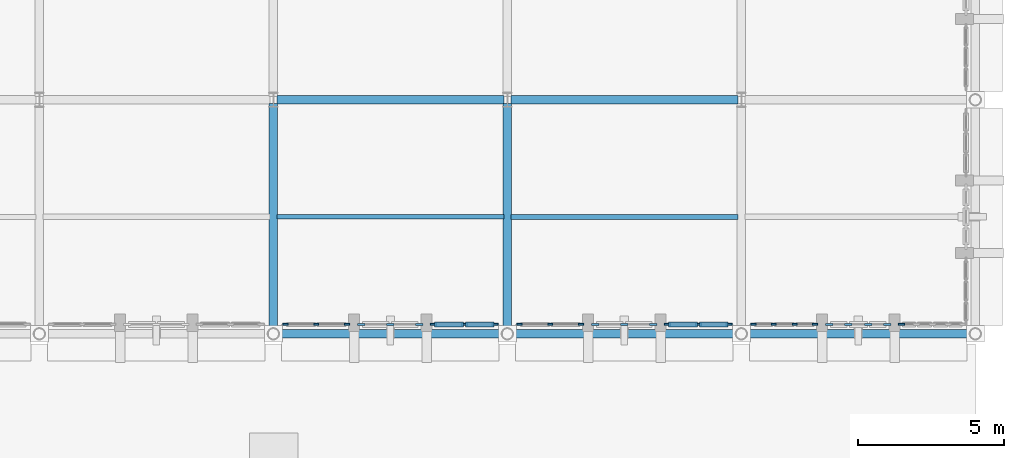
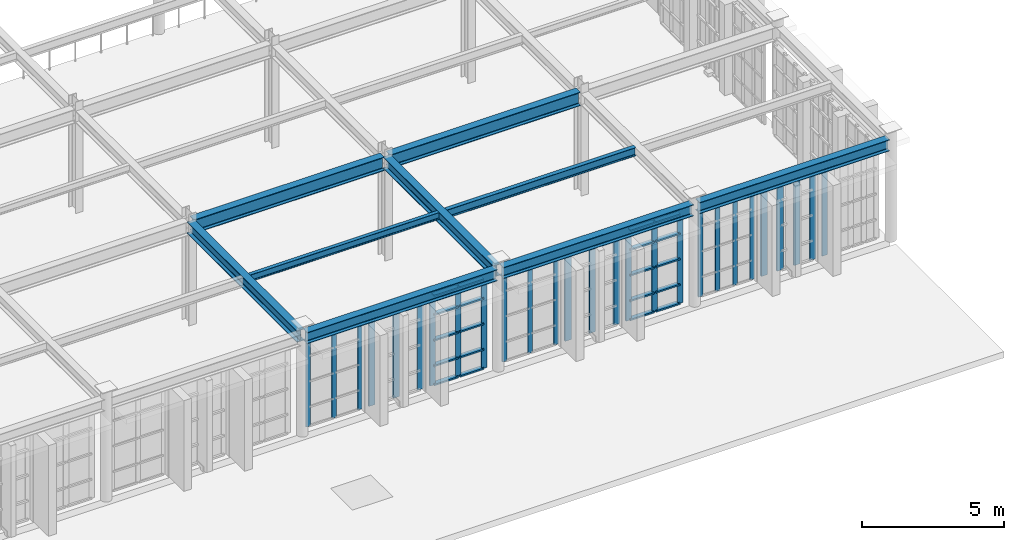
# One storey, part 37 of 155: 47 members, 9 beams, 9 elements without a shape of their own.
"""IFC4 building model written with IfcOpenShell, lengths in metres."""

import ifcopenshell
import ifcopenshell.guid

model = None  # the IFC model being written
_history = None  # IfcOwnerHistory: only IFC2X3 demands one
_inside = {}  # id of a spatial element -> (the spatial element, [elements in it])
_under = {}  # id of a project, library or spatial element -> (it, [spatial elements below it])
_declared = {}  # id of a project -> (the project, [libraries it declares])
_typed = {}  # id of a type object -> (the type object, [elements of that type])
_made_of = {}  # id of a material, layer set ... -> (it, [elements and type objects made of it])


def new_model(schema):
    """Start an empty IFC model of exactly this schema.

    Asked for "IFC4X3", IfcOpenShell would pick the latest addendum, in which some entities
    have other attributes; the version numbers below select the first issue.
    IFC2X3 requires an IfcOwnerHistory on every rooted entity: one is made here for all.
    """
    global model, _history
    if schema == "IFC4X3":
        model = ifcopenshell.file(schema_version=(4, 3, 0, 0))
    else:
        model = ifcopenshell.file(schema=schema)
    _inside.clear()
    _under.clear()
    _declared.clear()
    _typed.clear()
    _made_of.clear()
    _history = None
    if model.schema == "IFC2X3":
        org = make("IfcOrganization", Name="unknown")
        user = make(
            "IfcPersonAndOrganization",
            ThePerson=make("IfcPerson", FamilyName="unknown"),
            TheOrganization=org,
        )
        app = make(
            "IfcApplication",
            ApplicationDeveloper=org,
            Version="unknown",
            ApplicationFullName="unknown",
            ApplicationIdentifier="unknown",
        )
        _history = make(
            "IfcOwnerHistory",
            OwningUser=user,
            OwningApplication=app,
            ChangeAction="ADDED",
            CreationDate=0,
        )
    return model


def make(cls, **values):
    """One entity of the class cls with the attributes given. An attribute that is None is left unset."""
    return model.create_entity(
        cls, **{name: value for name, value in values.items() if value is not None}
    )


def rooted(cls, **values):
    """An entity with a GlobalId (a new one), such as an element, a storey or a relation."""
    return make(cls, GlobalId=ifcopenshell.guid.new(), OwnerHistory=_history, **values)


def si_unit(unit_type, name, prefix=None):
    """IfcSIUnit, for example si_unit("LENGTHUNIT", "METRE", prefix="MILLI")."""
    return make("IfcSIUnit", UnitType=unit_type, Prefix=prefix, Name=name)


def assignment(units):
    """IfcUnitAssignment: the units of a project."""
    return None if units is None else make("IfcUnitAssignment", Units=units)


def point(xyz):
    """IfcCartesianPoint."""
    return None if xyz is None else make("IfcCartesianPoint", Coordinates=xyz)


def direction(xyz):
    """IfcDirection."""
    return None if xyz is None else make("IfcDirection", DirectionRatios=xyz)


def frame(location, z_axis=None, x_axis=None):
    """IfcAxis2Placement3D, a coordinate frame: its origin and axes. An axis left out is left unset."""
    return make(
        "IfcAxis2Placement3D",
        Location=point(location),
        Axis=direction(z_axis),
        RefDirection=direction(x_axis),
    )


def frame_2d(location, x_axis=None):
    """IfcAxis2Placement2D, a coordinate frame in the plane: its origin and x axis."""
    return make(
        "IfcAxis2Placement2D", Location=point(location), RefDirection=direction(x_axis)
    )


def origin():
    """The frame at (0, 0, 0) with its axes left unset."""
    return frame((0.0, 0.0, 0.0))


def origin_2d():
    """The frame at (0, 0) in the plane with its x axis left unset."""
    return frame_2d((0.0, 0.0))


def place(relative_to, where):
    """IfcLocalPlacement: puts the frame where relative to a parent placement (None: the world)."""
    return make(
        "IfcLocalPlacement", PlacementRelTo=relative_to, RelativePlacement=where
    )


def context(
    kind, dimensions, precision=None, world=None, true_north=None, identifier=None
):
    """IfcGeometricRepresentationContext, for example the 3D "Model" context."""
    return make(
        "IfcGeometricRepresentationContext",
        ContextIdentifier=identifier,
        ContextType=kind,
        CoordinateSpaceDimension=dimensions,
        Precision=precision,
        WorldCoordinateSystem=world,
        TrueNorth=true_north,
    )


def subcontext(parent, identifier, kind, view, scale=None):
    """IfcGeometricRepresentationSubContext, for example "Body" below "Model"."""
    return make(
        "IfcGeometricRepresentationSubContext",
        ContextIdentifier=identifier,
        ContextType=kind,
        ParentContext=parent,
        TargetScale=scale,
        TargetView=view,
    )


def project(units=None, contexts=None):
    """IfcProject with its units and contexts."""
    return rooted(
        "IfcProject",
        Name="project",
        RepresentationContexts=contexts,
        UnitsInContext=assignment(units),
    )


def spatial(cls, under=None, at=None, **own):
    """A site, building, storey or space (cls), placed at a placement, below another one or the project."""
    s = rooted(cls, ObjectPlacement=at, **own)
    if under is not None:
        _under.setdefault(under.id(), (under, []))[1].append(s)
    return s


def profile(cls, at=None, kind="AREA", **sizes):
    """A parametric profile (cls). Its sizes go by their IFC names, for example OverallWidth=200.0."""
    return make(cls, ProfileType=kind, Position=at, **sizes)


def rectangle(**sizes):
    """IfcRectangleProfileDef."""
    return profile("IfcRectangleProfileDef", **sizes)


def i_section(**sizes):
    """IfcIShapeProfileDef."""
    return profile("IfcIShapeProfileDef", **sizes)


def extrude(swept, where, along, depth):
    """IfcExtrudedAreaSolid: the profile swept, set in the frame where, extruded along a direction by depth."""
    return make(
        "IfcExtrudedAreaSolid",
        SweptArea=swept,
        Position=where,
        ExtrudedDirection=direction(along),
        Depth=depth,
    )


def shape(context_of_items, identifier, shape_type, items):
    """IfcShapeRepresentation: the items that make up one representation, for example the "Body"."""
    return make(
        "IfcShapeRepresentation",
        ContextOfItems=context_of_items,
        RepresentationIdentifier=identifier,
        RepresentationType=shape_type,
        Items=items,
    )


def material(Name=None, Category=None):
    """IfcMaterial."""
    return make("IfcMaterial", Name=Name, Category=Category)


def layer(
    of_material, thickness, ventilated=None, Name=None, Category=None, Priority=None
):
    """IfcMaterialLayer: one layer of a wall or slab, of a material (None: an air gap)."""
    return make(
        "IfcMaterialLayer",
        Material=of_material,
        LayerThickness=thickness,
        IsVentilated=ventilated,
        Name=Name,
        Category=Category,
        Priority=Priority,
    )


def layer_set(layers, Name=None):
    """IfcMaterialLayerSet."""
    return make("IfcMaterialLayerSet", MaterialLayers=layers, LayerSetName=Name)


def material_profile(
    of_material, cross_section, Name=None, Category=None, Priority=None
):
    """IfcMaterialProfile: a cross section and its material."""
    return make(
        "IfcMaterialProfile",
        Name=Name,
        Material=of_material,
        Profile=cross_section,
        Priority=Priority,
        Category=Category,
    )


def profile_set(profiles, Name=None, composite=None):
    """IfcMaterialProfileSet."""
    return make(
        "IfcMaterialProfileSet",
        Name=Name,
        MaterialProfiles=profiles,
        CompositeProfile=composite,
    )


def made_of(thing, what):
    """Note that an element or type object is made of a material, layer set ...; save() writes the relation."""
    if what is not None:
        _made_of.setdefault(what.id(), (what, []))[1].append(thing)
    return thing


def type_object(cls, material=None, **own):
    """A type object (cls), such as IfcWallType, which elements share."""
    return made_of(rooted(cls, **own), material)


def element(
    cls,
    number,
    at=None,
    inside=None,
    cuts=None,
    type_object=None,
    material=None,
    context=None,
    identifier="Body",
    shape_type=None,
    held_by="IfcProductDefinitionShape",
    body=None,
    shapes=None,
    **own,
):
    """One element of the class cls, such as IfcWall. Its Tag is "e" and its number.

    at: its placement. inside: the storey or other place that contains it. cuts: it is an
    opening in that element (IfcRelVoidsElement). A single representation is given by context,
    identifier, shape_type and body (its items); several are given by shapes. held_by: the class
    of the entity that holds the representations. save() writes the other relations.
    """
    e = rooted(cls, Tag="e%d" % number, ObjectPlacement=at, **own)
    if body is not None:
        shapes = [shape(context, identifier, shape_type, body)]
    if shapes is not None:
        e.Representation = make(held_by, Representations=shapes)
    if inside is not None:
        _inside.setdefault(inside.id(), (inside, []))[1].append(e)
    if cuts is not None:
        rooted(
            "IfcRelVoidsElement", RelatingBuildingElement=cuts, RelatedOpeningElement=e
        )
    if type_object is not None:
        _typed.setdefault(type_object.id(), (type_object, []))[1].append(e)
    return made_of(e, material)


def aggregate(whole, parts):
    """IfcRelAggregates: a whole, such as a stair, and the parts it consists of."""
    return rooted("IfcRelAggregates", RelatingObject=whole, RelatedObjects=parts)


def save(model, path):
    """Write the relations noted so far, then the file.

    IfcRelAggregates (storeys below a building ...), IfcRelContainedInSpatialStructure (elements
    in a storey), IfcRelDefinesByType, IfcRelAssociatesMaterial and IfcRelDeclares: one each for
    every whole, place, type object, material and project.
    """
    for whole, parts in _under.values():
        aggregate(whole, parts)
    for where, things in _inside.values():
        rooted(
            "IfcRelContainedInSpatialStructure",
            RelatedElements=things,
            RelatingStructure=where,
        )
    for kind, things in _typed.values():
        rooted("IfcRelDefinesByType", RelatedObjects=things, RelatingType=kind)
    for what, things in _made_of.values():
        rooted("IfcRelAssociatesMaterial", RelatedObjects=things, RelatingMaterial=what)
    for by, libraries in _declared.values():
        rooted("IfcRelDeclares", RelatingContext=by, RelatedDefinitions=libraries)
    model.write(path)


model = new_model("IFC4")

# Units and contexts
model_context = context("Model", 3, precision=1e-05, world=origin(), true_north=direction((0.0, 1.0)))
body_context = subcontext(model_context, "Body", "Model", "MODEL_VIEW")
ifc_project = project(units=[si_unit("LENGTHUNIT", "METRE"), si_unit("AREAUNIT", "SQUARE_METRE"), si_unit("VOLUMEUNIT", "CUBIC_METRE"), si_unit("PLANEANGLEUNIT", "RADIAN"), si_unit("MASSUNIT", "GRAM", prefix="KILO")], contexts=[model_context])

# Site, building, storey
site_placement = place(None, origin())
site = spatial("IfcSite", under=ifc_project, at=site_placement, CompositionType="ELEMENT")
building_placement = place(site_placement, origin())
building = spatial("IfcBuilding", under=site, at=building_placement, Name="Tazarka Park Arena", CompositionType="ELEMENT")
storey_placement = place(building_placement, frame((0.0, 0.0, 5.39990234375)))
storey = spatial("IfcBuildingStorey", under=building, at=storey_placement, Name="L01", CompositionType="ELEMENT", Elevation=5.39990234375)

# Beams
ifc_material_1 = material(Name="Steel S355", Category="steel")
ifc_material_profile_1 = material_profile(ifc_material_1, i_section(OverallWidth=0.300048828125, OverallDepth=0.590087890625, WebThickness=0.012939453125, FlangeThickness=0.02490234375, FilletRadius=0.027099609375, at=origin_2d()), Name="Steel S355")
ifc_profile_set_1 = profile_set([ifc_material_profile_1], Name="Steel S355")
beam_type_1 = type_object("IfcBeamType", Name="BM-B-07", PredefinedType="BEAM", material=ifc_profile_set_1)
for number, where, z_axis, x_axis, name in (
    (1, (160.1201171875, 48.0, 4.125), (1.0, 0.0, 0.0), (0.0, 1.0, 0.0), "GXM-L01-20-06"),
    (2, (168.1201171875, 48.0, 4.125), (1.0, 0.0, 0.0), (0.0, 1.0, 0.0), "GXM-L01-21-06"),
):
    element("IfcBeam", number, at=place(storey_placement, frame(where, z_axis=z_axis, x_axis=x_axis)), inside=storey, type_object=beam_type_1, Name=name, PredefinedType="BEAM", context=body_context, shape_type="SweptSolid", body=[
        extrude(i_section(OverallWidth=0.300048828125, OverallDepth=0.590087890625, WebThickness=0.012939453125, FlangeThickness=0.02490234375, FilletRadius=0.027099609375, at=origin_2d()), origin(), (0.0, 0.0, 1.0), 7.759765625),
    ])
ifc_material_2 = material(Name="Steel S355", Category="steel")
ifc_material_profile_2 = material_profile(ifc_material_2, i_section(OverallWidth=0.300048828125, OverallDepth=0.5, WebThickness=0.014404296875, FlangeThickness=0.028076171875, FilletRadius=0.027099609375, at=origin_2d()), Name="Steel S355")
ifc_profile_set_2 = profile_set([ifc_material_profile_2], Name="Steel S355")
beam_type_2 = type_object("IfcBeamType", Name="BM-B-08", PredefinedType="BEAM", material=ifc_profile_set_2)
for number, where, z_axis, x_axis, name in (
    (3, (160.0, 40.1201171875, 4.170166015625), (0.0, 1.0, 0.0), (-1.0, 0.0, 0.0), "GYM-L01-20-05"),
    (4, (168.0, 40.1201171875, 4.170166015625), (0.0, 1.0, 0.0), (-1.0, 0.0, 0.0), "GYM-L01-21-05"),
):
    element("IfcBeam", number, at=place(storey_placement, frame(where, z_axis=z_axis, x_axis=x_axis)), inside=storey, type_object=beam_type_2, Name=name, PredefinedType="BEAM", context=body_context, shape_type="SweptSolid", body=[
        extrude(i_section(OverallWidth=0.300048828125, OverallDepth=0.5, WebThickness=0.014404296875, FlangeThickness=0.028076171875, FilletRadius=0.027099609375, at=origin_2d()), origin(), (0.0, 0.0, 1.0), 7.759765625),
    ])
ifc_material_3 = material(Name="Steel S355", Category="steel")
ifc_material_profile_3 = material_profile(ifc_material_3, i_section(OverallWidth=0.14990234375, OverallDepth=0.300048828125, WebThickness=0.007080078125, FlangeThickness=0.0107421875, FilletRadius=0.014892578125, at=origin_2d()), Name="Steel S355")
ifc_profile_set_3 = profile_set([ifc_material_profile_3], Name="Steel S355")
beam_type_3 = type_object("IfcBeamType", Name="BM-J-01", PredefinedType="JOIST", material=ifc_profile_set_3)
beam_1_placement = place(storey_placement, frame((160.1201171875, 44.0, 4.27001953125), z_axis=(1.0, 0.0, 0.0), x_axis=(0.0, 1.0, 0.0)))
element("IfcBeam", 5, at=beam_1_placement, inside=storey, type_object=beam_type_3, Name="JST-L01-20-05", PredefinedType="JOIST", context=body_context, shape_type="SweptSolid", body=[
    extrude(i_section(OverallWidth=0.14990234375, OverallDepth=0.300048828125, WebThickness=0.007080078125, FlangeThickness=0.0107421875, FilletRadius=0.014892578125, at=origin_2d()), origin(), (0.0, 0.0, 1.0), 7.759765625),
])
ifc_material_4 = material(Name="Steel S355", Category="steel")
ifc_material_profile_4 = material_profile(ifc_material_4, i_section(OverallWidth=0.169921875, OverallDepth=0.360107421875, WebThickness=0.008056640625, FlangeThickness=0.0126953125, FilletRadius=0.01806640625, at=origin_2d()), Name="Steel S355")
ifc_profile_set_4 = profile_set([ifc_material_profile_4], Name="Steel S355")
beam_type_4 = type_object("IfcBeamType", Name="BM-J-02", PredefinedType="JOIST", material=ifc_profile_set_4)
beam_2_placement = place(storey_placement, frame((168.1201171875, 44.0, 4.239990234375), z_axis=(1.0, 0.0, 0.0), x_axis=(0.0, 1.0, 0.0)))
element("IfcBeam", 6, at=beam_2_placement, inside=storey, type_object=beam_type_4, Name="JST-L01-21-05", PredefinedType="JOIST", context=body_context, shape_type="SweptSolid", body=[
    extrude(i_section(OverallWidth=0.169921875, OverallDepth=0.360107421875, WebThickness=0.008056640625, FlangeThickness=0.0126953125, FilletRadius=0.01806640625, at=origin_2d()), origin(), (0.0, 0.0, 1.0), 7.759765625),
])
ifc_material_5 = material(Name="Steel S355", Category="steel")
ifc_material_profile_5 = material_profile(ifc_material_5, i_section(OverallWidth=0.300048828125, OverallDepth=0.489990234375, WebThickness=0.011962890625, FlangeThickness=0.02294921875, FilletRadius=0.027099609375, at=origin_2d()), Name="Steel S355")
ifc_profile_set_5 = profile_set([ifc_material_profile_5], Name="Steel S355")
beam_type_5 = type_object("IfcBeamType", Name="BM-SP-02", PredefinedType="SPANDREL", material=ifc_profile_set_5)
for number, where, z_axis, x_axis, name in (
    (7, (160.1201171875, 40.0, 4.175048828125), (1.0, 0.0, 0.0), (0.0, 1.0, 0.0), "GXM-L01-20-05"),
    (8, (168.1201171875, 40.0, 4.175048828125), (1.0, 0.0, 0.0), (0.0, 1.0, 0.0), "GXM-L01-21-05"),
    (9, (176.1201171875, 40.0, 4.175048828125), (1.0, 0.0, 0.0), (0.0, 1.0, 0.0), "GXM-L01-22-05"),
):
    element("IfcBeam", number, at=place(storey_placement, frame(where, z_axis=z_axis, x_axis=x_axis)), inside=storey, type_object=beam_type_5, Name=name, PredefinedType="SPANDREL", context=body_context, shape_type="SweptSolid", body=[
        extrude(i_section(OverallWidth=0.300048828125, OverallDepth=0.489990234375, WebThickness=0.011962890625, FlangeThickness=0.02294921875, FilletRadius=0.027099609375, at=origin_2d()), origin(), (0.0, 0.0, 1.0), 7.759765625),
    ])

# Curtain wall, members
ifc_material_6 = material(Name="Aluminium and low-e glass", Category="aluminium")
ifc_layer_1 = layer(ifc_material_6, 0.179931640625, Name="Aluminium and low-e glass")
ifc_layer_set_1 = layer_set([ifc_layer_1], Name="Aluminium and low-e glass")
curtain_wall_type_1 = type_object("IfcCurtainWallType", Name="CW-27", PredefinedType="NOTDEFINED", material=ifc_layer_set_1)
curtain_wall_1_placement = place(storey_placement, origin())
curtain_wall_1 = element("IfcCurtainWall", 10, at=curtain_wall_1_placement, inside=storey, type_object=curtain_wall_type_1, Name="Curtain Wall CWA-L01-177", PredefinedType="NOTDEFINED")
ifc_material_7 = material(Name="Aluminium 6060-T66", Category="aluminium")
ifc_material_profile_6 = material_profile(ifc_material_7, rectangle(XDim=0.06494140625, YDim=0.179931640625, at=origin_2d()), Name="Aluminium 6060-T66")
ifc_profile_set_6 = profile_set([ifc_material_profile_6], Name="Aluminium 6060-T66")
member_type_1 = type_object("IfcMemberType", Name="CWM-01", PredefinedType="MULLION", material=ifc_profile_set_6)
member_1_placement = place(storey_placement, frame((162.5185546875, 40.320068359375, 0.0), z_axis=(0.0, 0.0, 1.0), x_axis=(0.0, -1.0, 0.0)))
member_1 = element("IfcMember", 11, at=member_1_placement, type_object=member_type_1, Name="CW-27 mullion 1", PredefinedType="MULLION", context=body_context, shape_type="SweptSolid", body=[
    extrude(rectangle(XDim=0.06494140625, YDim=0.179931640625, at=origin_2d()), origin(), (0.0, 0.0, 1.0), 3.91015625),
])
member_2_placement = place(storey_placement, frame((161.467041015625, 40.320068359375, 0.0), z_axis=(0.0, 0.0, 1.0), x_axis=(0.0, -1.0, 0.0)))
member_2 = element("IfcMember", 12, at=member_2_placement, type_object=member_type_1, Name="CW-27 mullion 2", PredefinedType="MULLION", context=body_context, shape_type="SweptSolid", body=[
    extrude(rectangle(XDim=0.06494140625, YDim=0.179931640625, at=origin_2d()), origin(), (0.0, 0.0, 1.0), 3.91015625),
])
member_3_placement = place(storey_placement, frame((160.415771484375, 40.320068359375, 0.0), z_axis=(0.0, 0.0, 1.0), x_axis=(0.0, -1.0, 0.0)))
member_3 = element("IfcMember", 13, at=member_3_placement, type_object=member_type_1, Name="CW-27 mullion 3", PredefinedType="MULLION", context=body_context, shape_type="SweptSolid", body=[
    extrude(rectangle(XDim=0.06494140625, YDim=0.179931640625, at=origin_2d()), origin(), (0.0, 0.0, 1.0), 3.91015625),
])
aggregate(curtain_wall_1, [member_1, member_2, member_3])

ifc_material_8 = material(Name="Aluminium and low-e glass", Category="aluminium")
ifc_layer_2 = layer(ifc_material_8, 0.179931640625, Name="Aluminium and low-e glass")
ifc_layer_set_2 = layer_set([ifc_layer_2], Name="Aluminium and low-e glass")
curtain_wall_type_2 = type_object("IfcCurtainWallType", Name="CW-30", PredefinedType="NOTDEFINED", material=ifc_layer_set_2)
curtain_wall_2_placement = place(storey_placement, origin())
curtain_wall_2 = element("IfcCurtainWall", 14, at=curtain_wall_2_placement, inside=storey, type_object=curtain_wall_type_2, Name="Curtain Wall CWA-L01-180", PredefinedType="NOTDEFINED")
member_4_placement = place(storey_placement, frame((170.5185546875, 40.320068359375, 0.0), z_axis=(0.0, 0.0, 1.0), x_axis=(0.0, -1.0, 0.0)))
member_4 = element("IfcMember", 15, at=member_4_placement, type_object=member_type_1, Name="CW-30 mullion 1", PredefinedType="MULLION", context=body_context, shape_type="SweptSolid", body=[
    extrude(rectangle(XDim=0.06494140625, YDim=0.179931640625, at=origin_2d()), origin(), (0.0, 0.0, 1.0), 3.91015625),
])
member_5_placement = place(storey_placement, frame((169.467041015625, 40.320068359375, 0.0), z_axis=(0.0, 0.0, 1.0), x_axis=(0.0, -1.0, 0.0)))
member_5 = element("IfcMember", 16, at=member_5_placement, type_object=member_type_1, Name="CW-30 mullion 2", PredefinedType="MULLION", context=body_context, shape_type="SweptSolid", body=[
    extrude(rectangle(XDim=0.06494140625, YDim=0.179931640625, at=origin_2d()), origin(), (0.0, 0.0, 1.0), 3.91015625),
])
member_6_placement = place(storey_placement, frame((168.415771484375, 40.320068359375, 0.0), z_axis=(0.0, 0.0, 1.0), x_axis=(0.0, -1.0, 0.0)))
member_6 = element("IfcMember", 17, at=member_6_placement, type_object=member_type_1, Name="CW-30 mullion 3", PredefinedType="MULLION", context=body_context, shape_type="SweptSolid", body=[
    extrude(rectangle(XDim=0.06494140625, YDim=0.179931640625, at=origin_2d()), origin(), (0.0, 0.0, 1.0), 3.91015625),
])
aggregate(curtain_wall_2, [member_4, member_5, member_6])

ifc_material_9 = material(Name="Aluminium and low-e glass", Category="aluminium")
ifc_layer_3 = layer(ifc_material_9, 0.179931640625, Name="Aluminium and low-e glass")
ifc_layer_set_3 = layer_set([ifc_layer_3], Name="Aluminium and low-e glass")
curtain_wall_type_3 = type_object("IfcCurtainWallType", Name="CW-03", PredefinedType="NOTDEFINED", material=ifc_layer_set_3)
curtain_wall_3_placement = place(storey_placement, origin())
curtain_wall_3 = element("IfcCurtainWall", 18, at=curtain_wall_3_placement, inside=storey, type_object=curtain_wall_type_3, Name="Curtain Wall CWA-L01-183", PredefinedType="NOTDEFINED")
member_7_placement = place(storey_placement, frame((178.5185546875, 40.320068359375, 0.0), z_axis=(0.0, 0.0, 1.0), x_axis=(0.0, -1.0, 0.0)))
member_7 = element("IfcMember", 19, at=member_7_placement, type_object=member_type_1, Name="CW-03 mullion 1", PredefinedType="MULLION", context=body_context, shape_type="SweptSolid", body=[
    extrude(rectangle(XDim=0.06494140625, YDim=0.179931640625, at=origin_2d()), origin(), (0.0, 0.0, 1.0), 3.91015625),
])
member_8_placement = place(storey_placement, frame((177.828369140625, 40.320068359375, 0.0), z_axis=(0.0, 0.0, 1.0), x_axis=(0.0, -1.0, 0.0)))
member_8 = element("IfcMember", 20, at=member_8_placement, type_object=member_type_1, Name="CW-03 mullion 2", PredefinedType="MULLION", context=body_context, shape_type="SweptSolid", body=[
    extrude(rectangle(XDim=0.06494140625, YDim=0.179931640625, at=origin_2d()), origin(), (0.0, 0.0, 1.0), 3.91015625),
])
member_9_placement = place(storey_placement, frame((177.105712890625, 40.320068359375, 0.0), z_axis=(0.0, 0.0, 1.0), x_axis=(0.0, -1.0, 0.0)))
member_9 = element("IfcMember", 21, at=member_9_placement, type_object=member_type_1, Name="CW-03 mullion 3", PredefinedType="MULLION", context=body_context, shape_type="SweptSolid", body=[
    extrude(rectangle(XDim=0.06494140625, YDim=0.179931640625, at=origin_2d()), origin(), (0.0, 0.0, 1.0), 3.91015625),
])
member_10_placement = place(storey_placement, frame((176.415771484375, 40.320068359375, 0.0), z_axis=(0.0, 0.0, 1.0), x_axis=(0.0, -1.0, 0.0)))
member_10 = element("IfcMember", 22, at=member_10_placement, type_object=member_type_1, Name="CW-03 mullion 4", PredefinedType="MULLION", context=body_context, shape_type="SweptSolid", body=[
    extrude(rectangle(XDim=0.06494140625, YDim=0.179931640625, at=origin_2d()), origin(), (0.0, 0.0, 1.0), 3.91015625),
])
aggregate(curtain_wall_3, [member_7, member_8, member_9, member_10])

ifc_material_10 = material(Name="Aluminium and low-e glass", Category="aluminium")
ifc_layer_4 = layer(ifc_material_10, 0.179931640625, Name="Aluminium and low-e glass")
ifc_layer_set_4 = layer_set([ifc_layer_4], Name="Aluminium and low-e glass")
curtain_wall_type_4 = type_object("IfcCurtainWallType", Name="CW-25", PredefinedType="NOTDEFINED", material=ifc_layer_set_4)
curtain_wall_4_placement = place(storey_placement, origin())
curtain_wall_4 = element("IfcCurtainWall", 23, at=curtain_wall_4_placement, inside=storey, type_object=curtain_wall_type_4, Name="Curtain Wall CWA-L01-175", PredefinedType="NOTDEFINED")
ifc_material_11 = material(Name="Aluminium 6060-T66", Category="aluminium")
ifc_material_profile_7 = material_profile(ifc_material_11, rectangle(XDim=0.06494140625, YDim=0.219970703125, at=origin_2d()), Name="Aluminium 6060-T66")
ifc_profile_set_7 = profile_set([ifc_material_profile_7], Name="Aluminium 6060-T66")
member_type_2 = type_object("IfcMemberType", Name="CWM-02", PredefinedType="MULLION", material=ifc_profile_set_7)
member_11_placement = place(storey_placement, frame((167.584228515625, 40.320068359375, 0.0), z_axis=(0.0, 0.0, 1.0), x_axis=(0.0, -1.0, 0.0)))
member_11 = element("IfcMember", 24, at=member_11_placement, type_object=member_type_2, Name="CW-25 mullion 1", PredefinedType="MULLION", context=body_context, shape_type="SweptSolid", body=[
    extrude(rectangle(XDim=0.06494140625, YDim=0.219970703125, at=origin_2d()), origin(), (0.0, 0.0, 1.0), 3.91015625),
])
member_12_placement = place(storey_placement, frame((166.532958984375, 40.320068359375, 0.0), z_axis=(0.0, 0.0, 1.0), x_axis=(0.0, -1.0, 0.0)))
member_12 = element("IfcMember", 25, at=member_12_placement, type_object=member_type_2, Name="CW-25 mullion 2", PredefinedType="MULLION", context=body_context, shape_type="SweptSolid", body=[
    extrude(rectangle(XDim=0.06494140625, YDim=0.219970703125, at=origin_2d()), origin(), (0.0, 0.0, 1.0), 3.91015625),
])
member_13_placement = place(storey_placement, frame((165.4814453125, 40.320068359375, 0.0), z_axis=(0.0, 0.0, 1.0), x_axis=(0.0, -1.0, 0.0)))
member_13 = element("IfcMember", 26, at=member_13_placement, type_object=member_type_2, Name="CW-25 mullion 3", PredefinedType="MULLION", context=body_context, shape_type="SweptSolid", body=[
    extrude(rectangle(XDim=0.06494140625, YDim=0.219970703125, at=origin_2d()), origin(), (0.0, 0.0, 1.0), 3.91015625),
])

ifc_material_12 = material(Name="Aluminium and low-e glass", Category="aluminium")
ifc_layer_5 = layer(ifc_material_12, 0.179931640625, Name="Aluminium and low-e glass")
ifc_layer_set_5 = layer_set([ifc_layer_5], Name="Aluminium and low-e glass")
curtain_wall_type_5 = type_object("IfcCurtainWallType", Name="CW-28", PredefinedType="NOTDEFINED", material=ifc_layer_set_5)
curtain_wall_5_placement = place(storey_placement, origin())
curtain_wall_5 = element("IfcCurtainWall", 27, at=curtain_wall_5_placement, inside=storey, type_object=curtain_wall_type_5, Name="Curtain Wall CWA-L01-178", PredefinedType="NOTDEFINED")
member_14_placement = place(storey_placement, frame((175.584228515625, 40.320068359375, 0.0), z_axis=(0.0, 0.0, 1.0), x_axis=(0.0, -1.0, 0.0)))
member_14 = element("IfcMember", 28, at=member_14_placement, type_object=member_type_2, Name="CW-28 mullion 1", PredefinedType="MULLION", context=body_context, shape_type="SweptSolid", body=[
    extrude(rectangle(XDim=0.06494140625, YDim=0.219970703125, at=origin_2d()), origin(), (0.0, 0.0, 1.0), 3.91015625),
])
member_15_placement = place(storey_placement, frame((174.532958984375, 40.320068359375, 0.0), z_axis=(0.0, 0.0, 1.0), x_axis=(0.0, -1.0, 0.0)))
member_15 = element("IfcMember", 29, at=member_15_placement, type_object=member_type_2, Name="CW-28 mullion 2", PredefinedType="MULLION", context=body_context, shape_type="SweptSolid", body=[
    extrude(rectangle(XDim=0.06494140625, YDim=0.219970703125, at=origin_2d()), origin(), (0.0, 0.0, 1.0), 3.91015625),
])
member_16_placement = place(storey_placement, frame((173.4814453125, 40.320068359375, 0.0), z_axis=(0.0, 0.0, 1.0), x_axis=(0.0, -1.0, 0.0)))
member_16 = element("IfcMember", 30, at=member_16_placement, type_object=member_type_2, Name="CW-28 mullion 3", PredefinedType="MULLION", context=body_context, shape_type="SweptSolid", body=[
    extrude(rectangle(XDim=0.06494140625, YDim=0.219970703125, at=origin_2d()), origin(), (0.0, 0.0, 1.0), 3.91015625),
])

# Curtain wall, member
ifc_material_13 = material(Name="Aluminium and low-e glass", Category="aluminium")
ifc_layer_6 = layer(ifc_material_13, 0.179931640625, Name="Aluminium and low-e glass")
ifc_layer_set_6 = layer_set([ifc_layer_6], Name="Aluminium and low-e glass")
curtain_wall_type_6 = type_object("IfcCurtainWallType", Name="CW-01", PredefinedType="NOTDEFINED", material=ifc_layer_set_6)
curtain_wall_6_placement = place(storey_placement, origin())
curtain_wall_6 = element("IfcCurtainWall", 31, at=curtain_wall_6_placement, inside=storey, type_object=curtain_wall_type_6, Name="Curtain Wall CWA-L01-181", PredefinedType="NOTDEFINED")
member_17_placement = place(storey_placement, frame((181.4814453125, 40.320068359375, 0.0), z_axis=(0.0, 0.0, 1.0), x_axis=(0.0, -1.0, 0.0)))
member_17 = element("IfcMember", 32, at=member_17_placement, type_object=member_type_2, Name="CW-01 mullion 5", PredefinedType="MULLION", context=body_context, shape_type="SweptSolid", body=[
    extrude(rectangle(XDim=0.06494140625, YDim=0.219970703125, at=origin_2d()), origin(), (0.0, 0.0, 1.0), 3.91015625),
])
aggregate(curtain_wall_6, [member_17])

# Curtain wall, members
ifc_material_14 = material(Name="Aluminium and low-e glass", Category="aluminium")
ifc_layer_7 = layer(ifc_material_14, 0.179931640625, Name="Aluminium and low-e glass")
ifc_layer_set_7 = layer_set([ifc_layer_7], Name="Aluminium and low-e glass")
curtain_wall_type_7 = type_object("IfcCurtainWallType", Name="CW-26", PredefinedType="NOTDEFINED", material=ifc_layer_set_7)
curtain_wall_7_placement = place(storey_placement, origin())
curtain_wall_7 = element("IfcCurtainWall", 33, at=curtain_wall_7_placement, inside=storey, type_object=curtain_wall_type_7, Name="Curtain Wall CWA-L01-176", PredefinedType="NOTDEFINED")
ifc_material_15 = material(Name="Aluminium 6060-T66", Category="aluminium")
ifc_material_profile_8 = material_profile(ifc_material_15, rectangle(XDim=0.074951171875, YDim=0.25, at=origin_2d()), Name="Aluminium 6060-T66")
ifc_profile_set_8 = profile_set([ifc_material_profile_8], Name="Aluminium 6060-T66")
member_type_3 = type_object("IfcMemberType", Name="CWM-03", PredefinedType="MULLION", material=ifc_profile_set_8)
member_18_placement = place(storey_placement, frame((164.991455078125, 40.320068359375, 0.0), z_axis=(0.0, 0.0, 1.0), x_axis=(0.0, -1.0, 0.0)))
member_18 = element("IfcMember", 34, at=member_18_placement, type_object=member_type_3, Name="CW-26 mullion 1", PredefinedType="MULLION", context=body_context, shape_type="SweptSolid", body=[
    extrude(rectangle(XDim=0.074951171875, YDim=0.25, at=origin_2d()), origin(), (0.0, 0.0, 1.0), 3.91015625),
])
member_19_placement = place(storey_placement, frame((164.0, 40.320068359375, 0.0), z_axis=(0.0, 0.0, 1.0), x_axis=(0.0, -1.0, 0.0)))
member_19 = element("IfcMember", 35, at=member_19_placement, type_object=member_type_3, Name="CW-26 mullion 2", PredefinedType="MULLION", context=body_context, shape_type="SweptSolid", body=[
    extrude(rectangle(XDim=0.074951171875, YDim=0.25, at=origin_2d()), origin(), (0.0, 0.0, 1.0), 3.91015625),
])
member_20_placement = place(storey_placement, frame((163.008544921875, 40.320068359375, 0.0), z_axis=(0.0, 0.0, 1.0), x_axis=(0.0, -1.0, 0.0)))
member_20 = element("IfcMember", 36, at=member_20_placement, type_object=member_type_3, Name="CW-26 mullion 3", PredefinedType="MULLION", context=body_context, shape_type="SweptSolid", body=[
    extrude(rectangle(XDim=0.074951171875, YDim=0.25, at=origin_2d()), origin(), (0.0, 0.0, 1.0), 3.91015625),
])
aggregate(curtain_wall_7, [member_18, member_19, member_20])

ifc_material_16 = material(Name="Aluminium and low-e glass", Category="aluminium")
ifc_layer_8 = layer(ifc_material_16, 0.179931640625, Name="Aluminium and low-e glass")
ifc_layer_set_8 = layer_set([ifc_layer_8], Name="Aluminium and low-e glass")
curtain_wall_type_8 = type_object("IfcCurtainWallType", Name="CW-29", PredefinedType="NOTDEFINED", material=ifc_layer_set_8)
curtain_wall_8_placement = place(storey_placement, origin())
curtain_wall_8 = element("IfcCurtainWall", 37, at=curtain_wall_8_placement, inside=storey, type_object=curtain_wall_type_8, Name="Curtain Wall CWA-L01-179", PredefinedType="NOTDEFINED")
member_21_placement = place(storey_placement, frame((172.991455078125, 40.320068359375, 0.0), z_axis=(0.0, 0.0, 1.0), x_axis=(0.0, -1.0, 0.0)))
member_21 = element("IfcMember", 38, at=member_21_placement, type_object=member_type_3, Name="CW-29 mullion 1", PredefinedType="MULLION", context=body_context, shape_type="SweptSolid", body=[
    extrude(rectangle(XDim=0.074951171875, YDim=0.25, at=origin_2d()), origin(), (0.0, 0.0, 1.0), 3.91015625),
])
member_22_placement = place(storey_placement, frame((172.0, 40.320068359375, 0.0), z_axis=(0.0, 0.0, 1.0), x_axis=(0.0, -1.0, 0.0)))
member_22 = element("IfcMember", 39, at=member_22_placement, type_object=member_type_3, Name="CW-29 mullion 2", PredefinedType="MULLION", context=body_context, shape_type="SweptSolid", body=[
    extrude(rectangle(XDim=0.074951171875, YDim=0.25, at=origin_2d()), origin(), (0.0, 0.0, 1.0), 3.91015625),
])
member_23_placement = place(storey_placement, frame((171.008544921875, 40.320068359375, 0.0), z_axis=(0.0, 0.0, 1.0), x_axis=(0.0, -1.0, 0.0)))
member_23 = element("IfcMember", 40, at=member_23_placement, type_object=member_type_3, Name="CW-29 mullion 3", PredefinedType="MULLION", context=body_context, shape_type="SweptSolid", body=[
    extrude(rectangle(XDim=0.074951171875, YDim=0.25, at=origin_2d()), origin(), (0.0, 0.0, 1.0), 3.91015625),
])
aggregate(curtain_wall_8, [member_21, member_22, member_23])

ifc_material_17 = material(Name="Aluminium and low-e glass", Category="aluminium")
ifc_layer_9 = layer(ifc_material_17, 0.179931640625, Name="Aluminium and low-e glass")
ifc_layer_set_9 = layer_set([ifc_layer_9], Name="Aluminium and low-e glass")
curtain_wall_type_9 = type_object("IfcCurtainWallType", Name="CW-02", PredefinedType="NOTDEFINED", material=ifc_layer_set_9)
curtain_wall_9_placement = place(storey_placement, origin())
curtain_wall_9 = element("IfcCurtainWall", 41, at=curtain_wall_9_placement, inside=storey, type_object=curtain_wall_type_9, Name="Curtain Wall CWA-L01-182", PredefinedType="NOTDEFINED")
member_24_placement = place(storey_placement, frame((180.991455078125, 40.320068359375, 0.0), z_axis=(0.0, 0.0, 1.0), x_axis=(0.0, -1.0, 0.0)))
member_24 = element("IfcMember", 42, at=member_24_placement, type_object=member_type_3, Name="CW-02 mullion 1", PredefinedType="MULLION", context=body_context, shape_type="SweptSolid", body=[
    extrude(rectangle(XDim=0.074951171875, YDim=0.25, at=origin_2d()), origin(), (0.0, 0.0, 1.0), 3.91015625),
])
member_25_placement = place(storey_placement, frame((180.343017578125, 40.320068359375, 0.0), z_axis=(0.0, 0.0, 1.0), x_axis=(0.0, -1.0, 0.0)))
member_25 = element("IfcMember", 43, at=member_25_placement, type_object=member_type_3, Name="CW-02 mullion 2", PredefinedType="MULLION", context=body_context, shape_type="SweptSolid", body=[
    extrude(rectangle(XDim=0.074951171875, YDim=0.25, at=origin_2d()), origin(), (0.0, 0.0, 1.0), 3.91015625),
])
member_26_placement = place(storey_placement, frame((179.656982421875, 40.320068359375, 0.0), z_axis=(0.0, 0.0, 1.0), x_axis=(0.0, -1.0, 0.0)))
member_26 = element("IfcMember", 44, at=member_26_placement, type_object=member_type_3, Name="CW-02 mullion 3", PredefinedType="MULLION", context=body_context, shape_type="SweptSolid", body=[
    extrude(rectangle(XDim=0.074951171875, YDim=0.25, at=origin_2d()), origin(), (0.0, 0.0, 1.0), 3.91015625),
])
member_27_placement = place(storey_placement, frame((179.008544921875, 40.320068359375, 0.0), z_axis=(0.0, 0.0, 1.0), x_axis=(0.0, -1.0, 0.0)))
member_27 = element("IfcMember", 45, at=member_27_placement, type_object=member_type_3, Name="CW-02 mullion 4", PredefinedType="MULLION", context=body_context, shape_type="SweptSolid", body=[
    extrude(rectangle(XDim=0.074951171875, YDim=0.25, at=origin_2d()), origin(), (0.0, 0.0, 1.0), 3.91015625),
])
aggregate(curtain_wall_9, [member_24, member_25, member_26, member_27])

# Member
ifc_material_18 = material(Name="Aluminium 6060-T66", Category="aluminium")
ifc_material_profile_9 = material_profile(ifc_material_18, rectangle(XDim=0.179931640625, YDim=0.06494140625, at=origin_2d()), Name="Aluminium 6060-T66")
ifc_profile_set_9 = profile_set([ifc_material_profile_9], Name="Aluminium 6060-T66")
member_type_4 = type_object("IfcMemberType", Name="CWT-02", PredefinedType="USERDEFINED", material=ifc_profile_set_9)
member_28_placement = place(storey_placement, frame((167.5517578125, 40.320068359375, 0.03271484375), z_axis=(-1.0, 0.0, 0.0), x_axis=(0.0, -1.0, 0.0)))
member_28 = element("IfcMember", 46, at=member_28_placement, type_object=member_type_4, Name="CW-25 transom 1.1", ObjectType="TRANSOM", PredefinedType="USERDEFINED", context=body_context, shape_type="SweptSolid", body=[
    extrude(rectangle(XDim=0.179931640625, YDim=0.06494140625, at=origin_2d()), origin(), (0.0, 0.0, 1.0), 0.986328125),
])

member_29_placement = place(storey_placement, frame((167.5517578125, 40.320068359375, 0.85009765625), z_axis=(-1.0, 0.0, 0.0), x_axis=(0.0, -1.0, 0.0)))
member_29 = element("IfcMember", 47, at=member_29_placement, type_object=member_type_4, Name="CW-25 transom 1.2", ObjectType="TRANSOM", PredefinedType="USERDEFINED", context=body_context, shape_type="SweptSolid", body=[
    extrude(rectangle(XDim=0.179931640625, YDim=0.06494140625, at=origin_2d()), origin(), (0.0, 0.0, 1.0), 0.986328125),
])

member_30_placement = place(storey_placement, frame((167.5517578125, 40.320068359375, 1.9501953125), z_axis=(-1.0, 0.0, 0.0), x_axis=(0.0, -1.0, 0.0)))
member_30 = element("IfcMember", 48, at=member_30_placement, type_object=member_type_4, Name="CW-25 transom 1.3", ObjectType="TRANSOM", PredefinedType="USERDEFINED", context=body_context, shape_type="SweptSolid", body=[
    extrude(rectangle(XDim=0.179931640625, YDim=0.06494140625, at=origin_2d()), origin(), (0.0, 0.0, 1.0), 0.986328125),
])

member_31_placement = place(storey_placement, frame((167.5517578125, 40.320068359375, 3.050048828125), z_axis=(-1.0, 0.0, 0.0), x_axis=(0.0, -1.0, 0.0)))
member_31 = element("IfcMember", 49, at=member_31_placement, type_object=member_type_4, Name="CW-25 transom 1.4", ObjectType="TRANSOM", PredefinedType="USERDEFINED", context=body_context, shape_type="SweptSolid", body=[
    extrude(rectangle(XDim=0.179931640625, YDim=0.06494140625, at=origin_2d()), origin(), (0.0, 0.0, 1.0), 0.986328125),
])

member_32_placement = place(storey_placement, frame((167.5517578125, 40.320068359375, 3.877685546875), z_axis=(-1.0, 0.0, 0.0), x_axis=(0.0, -1.0, 0.0)))
member_32 = element("IfcMember", 50, at=member_32_placement, type_object=member_type_4, Name="CW-25 transom 1.5", ObjectType="TRANSOM", PredefinedType="USERDEFINED", context=body_context, shape_type="SweptSolid", body=[
    extrude(rectangle(XDim=0.179931640625, YDim=0.06494140625, at=origin_2d()), origin(), (0.0, 0.0, 1.0), 0.986328125),
])

member_33_placement = place(storey_placement, frame((166.500244140625, 40.320068359375, 0.03271484375), z_axis=(-1.0, 0.0, 0.0), x_axis=(0.0, -1.0, 0.0)))
member_33 = element("IfcMember", 51, at=member_33_placement, type_object=member_type_4, Name="CW-25 transom 2.1", ObjectType="TRANSOM", PredefinedType="USERDEFINED", context=body_context, shape_type="SweptSolid", body=[
    extrude(rectangle(XDim=0.179931640625, YDim=0.06494140625, at=origin_2d()), origin(), (0.0, 0.0, 1.0), 0.986328125),
])

member_34_placement = place(storey_placement, frame((166.500244140625, 40.320068359375, 0.85009765625), z_axis=(-1.0, 0.0, 0.0), x_axis=(0.0, -1.0, 0.0)))
member_34 = element("IfcMember", 52, at=member_34_placement, type_object=member_type_4, Name="CW-25 transom 2.2", ObjectType="TRANSOM", PredefinedType="USERDEFINED", context=body_context, shape_type="SweptSolid", body=[
    extrude(rectangle(XDim=0.179931640625, YDim=0.06494140625, at=origin_2d()), origin(), (0.0, 0.0, 1.0), 0.986328125),
])

member_35_placement = place(storey_placement, frame((166.500244140625, 40.320068359375, 1.9501953125), z_axis=(-1.0, 0.0, 0.0), x_axis=(0.0, -1.0, 0.0)))
member_35 = element("IfcMember", 53, at=member_35_placement, type_object=member_type_4, Name="CW-25 transom 2.3", ObjectType="TRANSOM", PredefinedType="USERDEFINED", context=body_context, shape_type="SweptSolid", body=[
    extrude(rectangle(XDim=0.179931640625, YDim=0.06494140625, at=origin_2d()), origin(), (0.0, 0.0, 1.0), 0.986328125),
])

member_36_placement = place(storey_placement, frame((166.500244140625, 40.320068359375, 3.050048828125), z_axis=(-1.0, 0.0, 0.0), x_axis=(0.0, -1.0, 0.0)))
member_36 = element("IfcMember", 54, at=member_36_placement, type_object=member_type_4, Name="CW-25 transom 2.4", ObjectType="TRANSOM", PredefinedType="USERDEFINED", context=body_context, shape_type="SweptSolid", body=[
    extrude(rectangle(XDim=0.179931640625, YDim=0.06494140625, at=origin_2d()), origin(), (0.0, 0.0, 1.0), 0.986328125),
])

member_37_placement = place(storey_placement, frame((166.500244140625, 40.320068359375, 3.877685546875), z_axis=(-1.0, 0.0, 0.0), x_axis=(0.0, -1.0, 0.0)))
member_37 = element("IfcMember", 55, at=member_37_placement, type_object=member_type_4, Name="CW-25 transom 2.5", ObjectType="TRANSOM", PredefinedType="USERDEFINED", context=body_context, shape_type="SweptSolid", body=[
    extrude(rectangle(XDim=0.179931640625, YDim=0.06494140625, at=origin_2d()), origin(), (0.0, 0.0, 1.0), 0.986328125),
])

aggregate(curtain_wall_4, [member_11, member_12, member_13, member_28, member_29, member_30, member_31, member_32, member_33, member_34, member_35, member_36, member_37])

member_38_placement = place(storey_placement, frame((175.5517578125, 40.320068359375, 0.03271484375), z_axis=(-1.0, 0.0, 0.0), x_axis=(0.0, -1.0, 0.0)))
member_38 = element("IfcMember", 56, at=member_38_placement, type_object=member_type_4, Name="CW-28 transom 1.1", ObjectType="TRANSOM", PredefinedType="USERDEFINED", context=body_context, shape_type="SweptSolid", body=[
    extrude(rectangle(XDim=0.179931640625, YDim=0.06494140625, at=origin_2d()), origin(), (0.0, 0.0, 1.0), 0.986328125),
])

member_39_placement = place(storey_placement, frame((175.5517578125, 40.320068359375, 0.85009765625), z_axis=(-1.0, 0.0, 0.0), x_axis=(0.0, -1.0, 0.0)))
member_39 = element("IfcMember", 57, at=member_39_placement, type_object=member_type_4, Name="CW-28 transom 1.2", ObjectType="TRANSOM", PredefinedType="USERDEFINED", context=body_context, shape_type="SweptSolid", body=[
    extrude(rectangle(XDim=0.179931640625, YDim=0.06494140625, at=origin_2d()), origin(), (0.0, 0.0, 1.0), 0.986328125),
])

member_40_placement = place(storey_placement, frame((175.5517578125, 40.320068359375, 1.9501953125), z_axis=(-1.0, 0.0, 0.0), x_axis=(0.0, -1.0, 0.0)))
member_40 = element("IfcMember", 58, at=member_40_placement, type_object=member_type_4, Name="CW-28 transom 1.3", ObjectType="TRANSOM", PredefinedType="USERDEFINED", context=body_context, shape_type="SweptSolid", body=[
    extrude(rectangle(XDim=0.179931640625, YDim=0.06494140625, at=origin_2d()), origin(), (0.0, 0.0, 1.0), 0.986328125),
])

member_41_placement = place(storey_placement, frame((175.5517578125, 40.320068359375, 3.050048828125), z_axis=(-1.0, 0.0, 0.0), x_axis=(0.0, -1.0, 0.0)))
member_41 = element("IfcMember", 59, at=member_41_placement, type_object=member_type_4, Name="CW-28 transom 1.4", ObjectType="TRANSOM", PredefinedType="USERDEFINED", context=body_context, shape_type="SweptSolid", body=[
    extrude(rectangle(XDim=0.179931640625, YDim=0.06494140625, at=origin_2d()), origin(), (0.0, 0.0, 1.0), 0.986328125),
])

member_42_placement = place(storey_placement, frame((175.5517578125, 40.320068359375, 3.877685546875), z_axis=(-1.0, 0.0, 0.0), x_axis=(0.0, -1.0, 0.0)))
member_42 = element("IfcMember", 60, at=member_42_placement, type_object=member_type_4, Name="CW-28 transom 1.5", ObjectType="TRANSOM", PredefinedType="USERDEFINED", context=body_context, shape_type="SweptSolid", body=[
    extrude(rectangle(XDim=0.179931640625, YDim=0.06494140625, at=origin_2d()), origin(), (0.0, 0.0, 1.0), 0.986328125),
])

member_43_placement = place(storey_placement, frame((174.500244140625, 40.320068359375, 0.03271484375), z_axis=(-1.0, 0.0, 0.0), x_axis=(0.0, -1.0, 0.0)))
member_43 = element("IfcMember", 61, at=member_43_placement, type_object=member_type_4, Name="CW-28 transom 2.1", ObjectType="TRANSOM", PredefinedType="USERDEFINED", context=body_context, shape_type="SweptSolid", body=[
    extrude(rectangle(XDim=0.179931640625, YDim=0.06494140625, at=origin_2d()), origin(), (0.0, 0.0, 1.0), 0.986328125),
])

member_44_placement = place(storey_placement, frame((174.500244140625, 40.320068359375, 0.85009765625), z_axis=(-1.0, 0.0, 0.0), x_axis=(0.0, -1.0, 0.0)))
member_44 = element("IfcMember", 62, at=member_44_placement, type_object=member_type_4, Name="CW-28 transom 2.2", ObjectType="TRANSOM", PredefinedType="USERDEFINED", context=body_context, shape_type="SweptSolid", body=[
    extrude(rectangle(XDim=0.179931640625, YDim=0.06494140625, at=origin_2d()), origin(), (0.0, 0.0, 1.0), 0.986328125),
])

member_45_placement = place(storey_placement, frame((174.500244140625, 40.320068359375, 1.9501953125), z_axis=(-1.0, 0.0, 0.0), x_axis=(0.0, -1.0, 0.0)))
member_45 = element("IfcMember", 63, at=member_45_placement, type_object=member_type_4, Name="CW-28 transom 2.3", ObjectType="TRANSOM", PredefinedType="USERDEFINED", context=body_context, shape_type="SweptSolid", body=[
    extrude(rectangle(XDim=0.179931640625, YDim=0.06494140625, at=origin_2d()), origin(), (0.0, 0.0, 1.0), 0.986328125),
])

member_46_placement = place(storey_placement, frame((174.500244140625, 40.320068359375, 3.050048828125), z_axis=(-1.0, 0.0, 0.0), x_axis=(0.0, -1.0, 0.0)))
member_46 = element("IfcMember", 64, at=member_46_placement, type_object=member_type_4, Name="CW-28 transom 2.4", ObjectType="TRANSOM", PredefinedType="USERDEFINED", context=body_context, shape_type="SweptSolid", body=[
    extrude(rectangle(XDim=0.179931640625, YDim=0.06494140625, at=origin_2d()), origin(), (0.0, 0.0, 1.0), 0.986328125),
])

member_47_placement = place(storey_placement, frame((174.500244140625, 40.320068359375, 3.877685546875), z_axis=(-1.0, 0.0, 0.0), x_axis=(0.0, -1.0, 0.0)))
member_47 = element("IfcMember", 65, at=member_47_placement, type_object=member_type_4, Name="CW-28 transom 2.5", ObjectType="TRANSOM", PredefinedType="USERDEFINED", context=body_context, shape_type="SweptSolid", body=[
    extrude(rectangle(XDim=0.179931640625, YDim=0.06494140625, at=origin_2d()), origin(), (0.0, 0.0, 1.0), 0.986328125),
])

aggregate(curtain_wall_5, [member_14, member_15, member_16, member_38, member_39, member_40, member_41, member_42, member_43, member_44, member_45, member_46, member_47])

save(model, "model.ifc")
